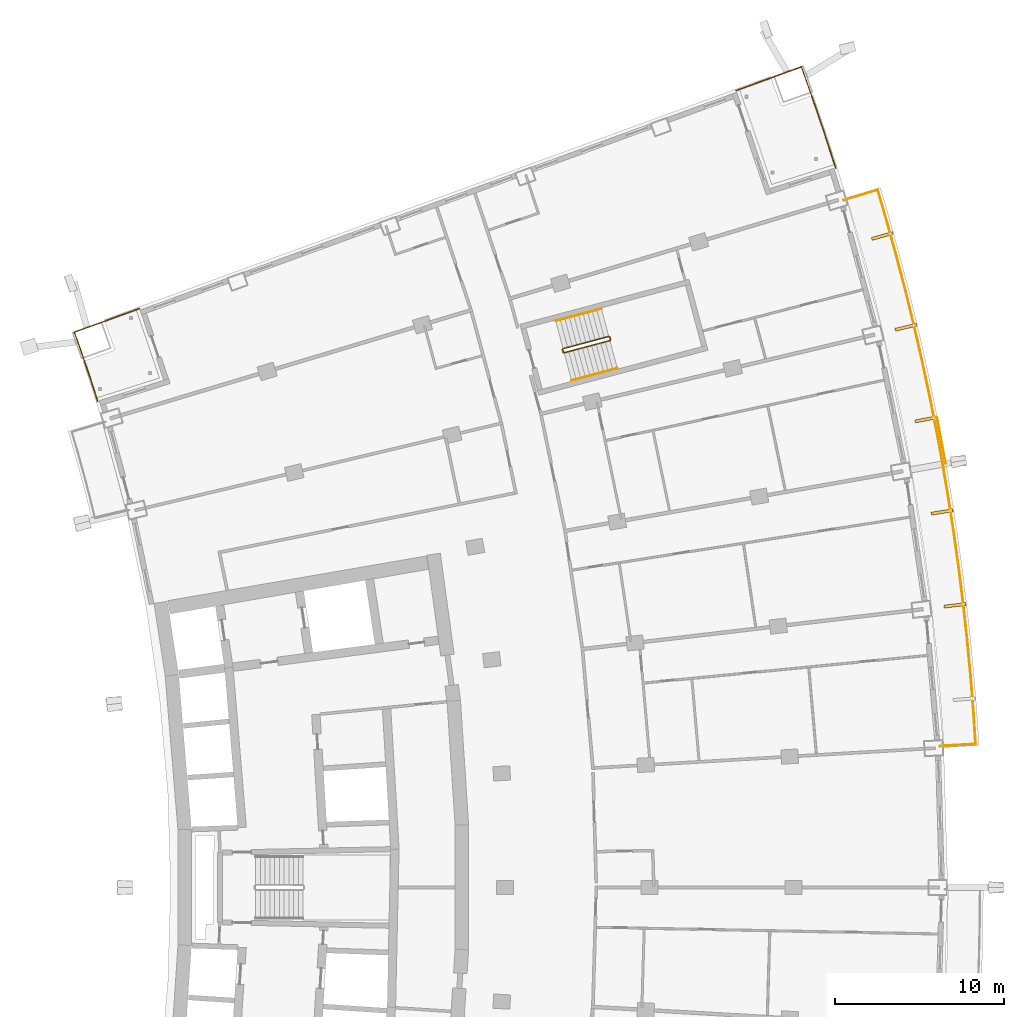
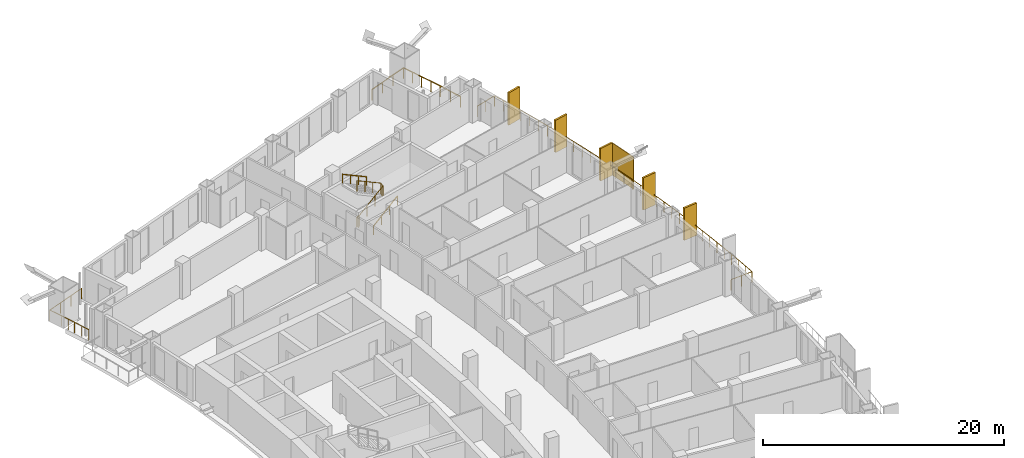
# One storey, part 23 of 23: 6 railings, 6 shading devices.
"""IFC4 building model written with IfcOpenShell, lengths in metres."""

from ifc_helpers import new_model, si_unit, direction, frame, origin, origin_2d, place, context, subcontext, project, spatial, rectangle, extrude, material, layer, layer_set, type_object, element, save


model = new_model("IFC4")

# Units and contexts
model_context = context("Model", 3, precision=1e-05, world=origin(), true_north=direction((0.0, 1.0)))
body_context = subcontext(model_context, "Body", "Model", "MODEL_VIEW")
ifc_project = project(units=[si_unit("LENGTHUNIT", "METRE"), si_unit("AREAUNIT", "SQUARE_METRE"), si_unit("VOLUMEUNIT", "CUBIC_METRE"), si_unit("PLANEANGLEUNIT", "RADIAN"), si_unit("MASSUNIT", "GRAM", prefix="KILO")], contexts=[model_context])

# Site, building, storey
site_placement = place(None, origin())
site = spatial("IfcSite", under=ifc_project, at=site_placement, CompositionType="ELEMENT")
building_placement = place(site_placement, origin())
building = spatial("IfcBuilding", under=site, at=building_placement, Name="Alderwake Tower", CompositionType="ELEMENT")
storey_placement = place(building_placement, frame((0.0, 0.0, 100.39990234375)))
storey = spatial("IfcBuildingStorey", under=building, at=storey_placement, Name="L24", CompositionType="ELEMENT", Elevation=100.39990234375)

# Railings
ifc_material_1 = material(Name="Stainless steel 316 rail and posts", Category="steel")
railing_type_1 = type_object("IfcRailingType", Name="Balcony guard 1100", PredefinedType="GUARDRAIL", material=ifc_material_1)
railing_1_placement = place(storey_placement, frame((61.552978515625, 69.365234375, 0.0)))
element("IfcRailing", 1, at=railing_1_placement, inside=storey, type_object=railing_type_1, Name="Guard BF08", PredefinedType="GUARDRAIL", context=body_context, shape_type="SweptSolid", body=[
    extrude(rectangle(XDim=0.048095703125, YDim=0.048095703125, at=origin_2d()), frame((0.0, 0.0, 1.076171875), z_axis=(0.998254674771, 0.059055942097, 0.0), x_axis=(-0.059055942097, 0.998254674771, 0.0)), (0.0, 0.0, 1.0), 2.10009765625),
    extrude(rectangle(XDim=0.048095703125, YDim=0.048095703125, at=origin_2d()), frame((2.096435546875, 0.1240234375, 1.076171875), z_axis=(-0.065967648342, 0.997821762326, 0.0), x_axis=(-0.997821762326, -0.065967648342, 0.0)), (0.0, 0.0, 1.0), 1.99853515625),
    extrude(rectangle(XDim=0.048095703125, YDim=0.048095703125, at=origin_2d()), frame((1.964599609375, 2.1181640625, 1.076171875), z_axis=(-0.080041152337, 0.996791559922, 0.0), x_axis=(-0.996791559922, -0.080041152337, 0.0)), (0.0, 0.0, 1.0), 2.0986328125),
    extrude(rectangle(XDim=0.048095703125, YDim=0.048095703125, at=origin_2d()), frame((1.796630859375, 4.2099609375, 1.076171875), z_axis=(-0.094699289711, 0.995505923904, 0.0), x_axis=(-0.995505923904, -0.094699289711, 0.0)), (0.0, 0.0, 1.0), 2.0986328125),
    extrude(rectangle(XDim=0.048095703125, YDim=0.048095703125, at=origin_2d()), frame((1.597900390625, 6.299072265625, 1.076171875), z_axis=(-0.109128966339, 0.994027599569, 0.0), x_axis=(-0.994027599569, -0.109128966339, 0.0)), (0.0, 0.0, 1.0), 2.098388671875),
    extrude(rectangle(XDim=0.048095703125, YDim=0.048095703125, at=origin_2d()), frame((1.368896484375, 8.385009765625, 1.076171875), z_axis=(-0.123662458816, 0.992324340264, 0.0), x_axis=(-0.992324340264, -0.123662458816, 0.0)), (0.0, 0.0, 1.0), 2.0986328125),
    extrude(rectangle(XDim=0.048095703125, YDim=0.048095703125, at=origin_2d()), frame((1.109375, 10.467529296875, 1.076171875), z_axis=(-0.138097834966, 0.990418592302, 0.0), x_axis=(-0.990418592302, -0.138097834966, 0.0)), (0.0, 0.0, 1.0), 2.098388671875),
    extrude(rectangle(XDim=0.048095703125, YDim=0.048095703125, at=origin_2d()), frame((0.819580078125, 12.5458984375, 1.076171875), z_axis=(-0.152520506341, 0.988300306155, 0.0), x_axis=(-0.988300306155, -0.152520506341, 0.0)), (0.0, 0.0, 1.0), 2.0986328125),
    extrude(rectangle(XDim=0.048095703125, YDim=0.048095703125, at=origin_2d()), frame((0.49951171875, 14.619873046875, 1.076171875), z_axis=(-0.16694530238, 0.985966158655, 0.0), x_axis=(-0.985966158655, -0.16694530238, 0.0)), (0.0, 0.0, 1.0), 2.0986328125),
    extrude(rectangle(XDim=0.048095703125, YDim=0.048095703125, at=origin_2d()), frame((0.149169921875, 16.68896484375, 1.076171875), z_axis=(-0.18126014614, 0.983435183132, 0.0), x_axis=(-0.983435183132, -0.18126014614, 0.0)), (0.0, 0.0, 1.0), 2.098388671875),
    extrude(rectangle(XDim=0.048095703125, YDim=0.048095703125, at=origin_2d()), frame((-0.231201171875, 18.752685546875, 1.076171875), z_axis=(-0.195691012753, 0.980665604336, 0.0), x_axis=(-0.980665604336, -0.195691012753, 0.0)), (0.0, 0.0, 1.0), 2.098388671875),
    extrude(rectangle(XDim=0.048095703125, YDim=0.048095703125, at=origin_2d()), frame((-0.641845703125, 20.810546875, 1.076171875), z_axis=(-0.209854794081, 0.977732563333, 0.0), x_axis=(-0.977732563333, -0.209854794081, 0.0)), (0.0, 0.0, 1.0), 2.0986328125),
    extrude(rectangle(XDim=0.048095703125, YDim=0.048095703125, at=origin_2d()), frame((-1.082275390625, 22.862548828125, 1.076171875), z_axis=(-0.224094649438, 0.974567385096, 0.0), x_axis=(-0.974567385096, -0.224094649438, 0.0)), (0.0, 0.0, 1.0), 2.098388671875),
    extrude(rectangle(XDim=0.048095703125, YDim=0.048095703125, at=origin_2d()), frame((-1.552490234375, 24.907470703125, 1.076171875), z_axis=(-0.238262937818, 0.971200685987, 0.0), x_axis=(-0.971200685987, -0.238262937818, 0.0)), (0.0, 0.0, 1.0), 2.0986328125),
    extrude(rectangle(XDim=0.048095703125, YDim=0.048095703125, at=origin_2d()), frame((-2.052490234375, 26.945556640625, 1.076171875), z_axis=(-0.252459784968, 0.967607387825, 0.0), x_axis=(-0.967607387825, -0.252459784968, 0.0)), (0.0, 0.0, 1.0), 2.098388671875),
    extrude(rectangle(XDim=0.048095703125, YDim=0.048095703125, at=origin_2d()), frame((-2.582275390625, 28.97607421875, 1.076171875), z_axis=(-0.266521673868, 0.963828925359, 0.0), x_axis=(-0.963828925359, -0.266521673868, 0.0)), (0.0, 0.0, 1.0), 2.0986328125),
    extrude(rectangle(XDim=0.048095703125, YDim=0.048095703125, at=origin_2d()), frame((-3.1416015625, 30.998779296875, 1.076171875), z_axis=(-0.280234538423, 0.95993156187, 0.0), x_axis=(-0.95993156187, -0.280234538423, 0.0)), (0.0, 0.0, 1.0), 1.99853515625),
    extrude(rectangle(XDim=0.048095703125, YDim=0.048095703125, at=origin_2d()), frame((-3.70166015625, 32.917236328125, 1.076171875), z_axis=(-0.957954179098, -0.286921227429, 0.0), x_axis=(0.286921227429, -0.957954179098, 0.0)), (0.0, 0.0, 1.0), 2.10009765625),
    extrude(rectangle(XDim=0.0419921875, YDim=0.0419921875, at=origin_2d()), frame((0.0, 0.0, 0.0), z_axis=(0.0, 0.0, 1.0), x_axis=(0.998254674771, 0.059055942097, 0.0)), (0.0, 0.0, 1.0), 1.052001953125),
    extrude(rectangle(XDim=0.0419921875, YDim=0.0419921875, at=origin_2d()), frame((1.04833984375, 0.06201171875, 0.0), z_axis=(0.0, 0.0, 1.0), x_axis=(0.998254674771, 0.059055942097, 0.0)), (0.0, 0.0, 1.0), 1.052001953125),
    extrude(rectangle(XDim=0.0419921875, YDim=0.0419921875, at=origin_2d()), frame((2.096435546875, 0.1240234375, 0.0), z_axis=(0.0, 0.0, 1.0), x_axis=(-0.065967648342, 0.997821762326, 0.0)), (0.0, 0.0, 1.0), 1.052001953125),
    extrude(rectangle(XDim=0.0419921875, YDim=0.0419921875, at=origin_2d()), frame((2.030517578125, 1.12109375, 0.0), z_axis=(0.0, 0.0, 1.0), x_axis=(-0.065967648342, 0.997821762326, 0.0)), (0.0, 0.0, 1.0), 1.052001953125),
    extrude(rectangle(XDim=0.0419921875, YDim=0.0419921875, at=origin_2d()), frame((1.964599609375, 2.1181640625, 0.0), z_axis=(0.0, 0.0, 1.0), x_axis=(-0.080041152337, 0.996791559922, 0.0)), (0.0, 0.0, 1.0), 1.052001953125),
    extrude(rectangle(XDim=0.0419921875, YDim=0.0419921875, at=origin_2d()), frame((1.880615234375, 3.1640625, 0.0), z_axis=(0.0, 0.0, 1.0), x_axis=(-0.080041152337, 0.996791559922, 0.0)), (0.0, 0.0, 1.0), 1.052001953125),
    extrude(rectangle(XDim=0.0419921875, YDim=0.0419921875, at=origin_2d()), frame((1.796630859375, 4.2099609375, 0.0), z_axis=(0.0, 0.0, 1.0), x_axis=(-0.094699289711, 0.995505923904, 0.0)), (0.0, 0.0, 1.0), 1.052001953125),
    extrude(rectangle(XDim=0.0419921875, YDim=0.0419921875, at=origin_2d()), frame((1.697265625, 5.25439453125, 0.0), z_axis=(0.0, 0.0, 1.0), x_axis=(-0.094699289711, 0.995505923904, 0.0)), (0.0, 0.0, 1.0), 1.052001953125),
    extrude(rectangle(XDim=0.0419921875, YDim=0.0419921875, at=origin_2d()), frame((1.597900390625, 6.299072265625, 0.0), z_axis=(0.0, 0.0, 1.0), x_axis=(-0.109128966339, 0.994027599569, 0.0)), (0.0, 0.0, 1.0), 1.052001953125),
    extrude(rectangle(XDim=0.0419921875, YDim=0.0419921875, at=origin_2d()), frame((1.4833984375, 7.342041015625, 0.0), z_axis=(0.0, 0.0, 1.0), x_axis=(-0.109128966339, 0.994027599569, 0.0)), (0.0, 0.0, 1.0), 1.052001953125),
    extrude(rectangle(XDim=0.0419921875, YDim=0.0419921875, at=origin_2d()), frame((1.368896484375, 8.385009765625, 0.0), z_axis=(0.0, 0.0, 1.0), x_axis=(-0.123662458816, 0.992324340264, 0.0)), (0.0, 0.0, 1.0), 1.052001953125),
    extrude(rectangle(XDim=0.0419921875, YDim=0.0419921875, at=origin_2d()), frame((1.2392578125, 9.42626953125, 0.0), z_axis=(0.0, 0.0, 1.0), x_axis=(-0.123662458816, 0.992324340264, 0.0)), (0.0, 0.0, 1.0), 1.052001953125),
    extrude(rectangle(XDim=0.0419921875, YDim=0.0419921875, at=origin_2d()), frame((1.109375, 10.467529296875, 0.0), z_axis=(0.0, 0.0, 1.0), x_axis=(-0.138097834966, 0.990418592302, 0.0)), (0.0, 0.0, 1.0), 1.052001953125),
    extrude(rectangle(XDim=0.0419921875, YDim=0.0419921875, at=origin_2d()), frame((0.96435546875, 11.5068359375, 0.0), z_axis=(0.0, 0.0, 1.0), x_axis=(-0.138097834966, 0.990418592302, 0.0)), (0.0, 0.0, 1.0), 1.052001953125),
    extrude(rectangle(XDim=0.0419921875, YDim=0.0419921875, at=origin_2d()), frame((0.819580078125, 12.5458984375, 0.0), z_axis=(0.0, 0.0, 1.0), x_axis=(-0.152520506341, 0.988300306155, 0.0)), (0.0, 0.0, 1.0), 1.052001953125),
    extrude(rectangle(XDim=0.0419921875, YDim=0.0419921875, at=origin_2d()), frame((0.65966796875, 13.5830078125, 0.0), z_axis=(0.0, 0.0, 1.0), x_axis=(-0.152520506341, 0.988300306155, 0.0)), (0.0, 0.0, 1.0), 1.052001953125),
    extrude(rectangle(XDim=0.0419921875, YDim=0.0419921875, at=origin_2d()), frame((0.49951171875, 14.619873046875, 0.0), z_axis=(0.0, 0.0, 1.0), x_axis=(-0.16694530238, 0.985966158655, 0.0)), (0.0, 0.0, 1.0), 1.052001953125),
    extrude(rectangle(XDim=0.0419921875, YDim=0.0419921875, at=origin_2d()), frame((0.32421875, 15.654296875, 0.0), z_axis=(0.0, 0.0, 1.0), x_axis=(-0.16694530238, 0.985966158655, 0.0)), (0.0, 0.0, 1.0), 1.052001953125),
    extrude(rectangle(XDim=0.0419921875, YDim=0.0419921875, at=origin_2d()), frame((0.149169921875, 16.68896484375, 0.0), z_axis=(0.0, 0.0, 1.0), x_axis=(-0.18126014614, 0.983435183132, 0.0)), (0.0, 0.0, 1.0), 1.052001953125),
    extrude(rectangle(XDim=0.0419921875, YDim=0.0419921875, at=origin_2d()), frame((-0.041015625, 17.720703125, 0.0), z_axis=(0.0, 0.0, 1.0), x_axis=(-0.18126014614, 0.983435183132, 0.0)), (0.0, 0.0, 1.0), 1.052001953125),
    extrude(rectangle(XDim=0.0419921875, YDim=0.0419921875, at=origin_2d()), frame((-0.231201171875, 18.752685546875, 0.0), z_axis=(0.0, 0.0, 1.0), x_axis=(-0.195691012753, 0.980665604336, 0.0)), (0.0, 0.0, 1.0), 1.052001953125),
    extrude(rectangle(XDim=0.0419921875, YDim=0.0419921875, at=origin_2d()), frame((-0.4365234375, 19.78173828125, 0.0), z_axis=(0.0, 0.0, 1.0), x_axis=(-0.195691012753, 0.980665604336, 0.0)), (0.0, 0.0, 1.0), 1.052001953125),
    extrude(rectangle(XDim=0.0419921875, YDim=0.0419921875, at=origin_2d()), frame((-0.641845703125, 20.810546875, 0.0), z_axis=(0.0, 0.0, 1.0), x_axis=(-0.209854794081, 0.977732563333, 0.0)), (0.0, 0.0, 1.0), 1.052001953125),
    extrude(rectangle(XDim=0.0419921875, YDim=0.0419921875, at=origin_2d()), frame((-0.862060546875, 21.83642578125, 0.0), z_axis=(0.0, 0.0, 1.0), x_axis=(-0.209854794081, 0.977732563333, 0.0)), (0.0, 0.0, 1.0), 1.052001953125),
    extrude(rectangle(XDim=0.0419921875, YDim=0.0419921875, at=origin_2d()), frame((-1.082275390625, 22.862548828125, 0.0), z_axis=(0.0, 0.0, 1.0), x_axis=(-0.224094649438, 0.974567385096, 0.0)), (0.0, 0.0, 1.0), 1.052001953125),
    extrude(rectangle(XDim=0.0419921875, YDim=0.0419921875, at=origin_2d()), frame((-1.3173828125, 23.885009765625, 0.0), z_axis=(0.0, 0.0, 1.0), x_axis=(-0.224094649438, 0.974567385096, 0.0)), (0.0, 0.0, 1.0), 1.052001953125),
    extrude(rectangle(XDim=0.0419921875, YDim=0.0419921875, at=origin_2d()), frame((-1.552490234375, 24.907470703125, 0.0), z_axis=(0.0, 0.0, 1.0), x_axis=(-0.238262937818, 0.971200685987, 0.0)), (0.0, 0.0, 1.0), 1.052001953125),
    extrude(rectangle(XDim=0.0419921875, YDim=0.0419921875, at=origin_2d()), frame((-1.802490234375, 25.926513671875, 0.0), z_axis=(0.0, 0.0, 1.0), x_axis=(-0.238262937818, 0.971200685987, 0.0)), (0.0, 0.0, 1.0), 1.052001953125),
    extrude(rectangle(XDim=0.0419921875, YDim=0.0419921875, at=origin_2d()), frame((-2.052490234375, 26.945556640625, 0.0), z_axis=(0.0, 0.0, 1.0), x_axis=(-0.252459784968, 0.967607387825, 0.0)), (0.0, 0.0, 1.0), 1.052001953125),
    extrude(rectangle(XDim=0.0419921875, YDim=0.0419921875, at=origin_2d()), frame((-2.3173828125, 27.9609375, 0.0), z_axis=(0.0, 0.0, 1.0), x_axis=(-0.252459784968, 0.967607387825, 0.0)), (0.0, 0.0, 1.0), 1.052001953125),
    extrude(rectangle(XDim=0.0419921875, YDim=0.0419921875, at=origin_2d()), frame((-2.582275390625, 28.97607421875, 0.0), z_axis=(0.0, 0.0, 1.0), x_axis=(-0.266521673868, 0.963828925359, 0.0)), (0.0, 0.0, 1.0), 1.052001953125),
    extrude(rectangle(XDim=0.0419921875, YDim=0.0419921875, at=origin_2d()), frame((-2.86181640625, 29.9873046875, 0.0), z_axis=(0.0, 0.0, 1.0), x_axis=(-0.266521673868, 0.963828925359, 0.0)), (0.0, 0.0, 1.0), 1.052001953125),
    extrude(rectangle(XDim=0.0419921875, YDim=0.0419921875, at=origin_2d()), frame((-3.1416015625, 30.998779296875, 0.0), z_axis=(0.0, 0.0, 1.0), x_axis=(-0.280234538423, 0.95993156187, 0.0)), (0.0, 0.0, 1.0), 1.052001953125),
    extrude(rectangle(XDim=0.0419921875, YDim=0.0419921875, at=origin_2d()), frame((-3.421630859375, 31.9580078125, 0.0), z_axis=(0.0, 0.0, 1.0), x_axis=(-0.280234538423, 0.95993156187, 0.0)), (0.0, 0.0, 1.0), 1.052001953125),
    extrude(rectangle(XDim=0.0419921875, YDim=0.0419921875, at=origin_2d()), frame((-3.70166015625, 32.917236328125, 0.0), z_axis=(0.0, 0.0, 1.0), x_axis=(-0.957954179098, -0.286921227429, 0.0)), (0.0, 0.0, 1.0), 1.052001953125),
    extrude(rectangle(XDim=0.0419921875, YDim=0.0419921875, at=origin_2d()), frame((-4.70751953125, 32.615966796875, 0.0), z_axis=(0.0, 0.0, 1.0), x_axis=(-0.957954179098, -0.286921227429, 0.0)), (0.0, 0.0, 1.0), 1.052001953125),
    extrude(rectangle(XDim=0.0419921875, YDim=0.0419921875, at=origin_2d()), frame((-5.71337890625, 32.314697265625, 0.0), z_axis=(0.0, 0.0, 1.0), x_axis=(-0.957954179098, -0.286921227429, 0.0)), (0.0, 0.0, 1.0), 1.052001953125),
])
railing_2_placement = place(storey_placement, frame((55.357666015625, 103.590087890625, 0.0)))
element("IfcRailing", 2, at=railing_2_placement, inside=storey, type_object=railing_type_1, Name="Guard terrace FN", PredefinedType="GUARDRAIL", context=body_context, shape_type="SweptSolid", body=[
    extrude(rectangle(XDim=0.048095703125, YDim=0.048095703125, at=origin_2d()), frame((0.0, 0.0, 1.076171875), z_axis=(-0.307791641716, 0.951453785157, 0.0), x_axis=(-0.951453785157, -0.307791641716, 0.0)), (0.0, 0.0, 1.0), 2.269287109375),
    extrude(rectangle(XDim=0.048095703125, YDim=0.048095703125, at=origin_2d()), frame((-0.698486328125, 2.1591796875, 1.076171875), z_axis=(-0.322203060236, 0.946670580495, 0.0), x_axis=(-0.946670580495, -0.322203060236, 0.0)), (0.0, 0.0, 1.0), 2.0693359375),
    extrude(rectangle(XDim=0.048095703125, YDim=0.048095703125, at=origin_2d()), frame((-1.365234375, 4.1181640625, 1.076171875), z_axis=(-0.335723744503, 0.94196049141, 0.0), x_axis=(-0.94196049141, -0.335723744503, 0.0)), (0.0, 0.0, 1.0), 1.96923828125),
    extrude(rectangle(XDim=0.048095703125, YDim=0.048095703125, at=origin_2d()), frame((-2.0263671875, 5.97314453125, 1.076171875), z_axis=(-0.939624669849, -0.342206779317, 0.0), x_axis=(0.342206779317, -0.939624669849, 0.0)), (0.0, 0.0, 1.0), 4.10009765625),
    extrude(rectangle(XDim=0.0419921875, YDim=0.0419921875, at=origin_2d()), frame((0.0, 0.0, 0.0), z_axis=(0.0, 0.0, 1.0), x_axis=(-0.307791641716, 0.951453785157, 0.0)), (0.0, 0.0, 1.0), 1.052001953125),
    extrude(rectangle(XDim=0.0419921875, YDim=0.0419921875, at=origin_2d()), frame((-0.34912109375, 1.07958984375, 0.0), z_axis=(0.0, 0.0, 1.0), x_axis=(-0.307791641716, 0.951453785157, 0.0)), (0.0, 0.0, 1.0), 1.052001953125),
    extrude(rectangle(XDim=0.0419921875, YDim=0.0419921875, at=origin_2d()), frame((-0.698486328125, 2.1591796875, 0.0), z_axis=(0.0, 0.0, 1.0), x_axis=(-0.322203060236, 0.946670580495, 0.0)), (0.0, 0.0, 1.0), 1.052001953125),
    extrude(rectangle(XDim=0.0419921875, YDim=0.0419921875, at=origin_2d()), frame((-1.03173828125, 3.138671875, 0.0), z_axis=(0.0, 0.0, 1.0), x_axis=(-0.322203060236, 0.946670580495, 0.0)), (0.0, 0.0, 1.0), 1.052001953125),
    extrude(rectangle(XDim=0.0419921875, YDim=0.0419921875, at=origin_2d()), frame((-1.365234375, 4.1181640625, 0.0), z_axis=(0.0, 0.0, 1.0), x_axis=(-0.335723744503, 0.94196049141, 0.0)), (0.0, 0.0, 1.0), 1.052001953125),
    extrude(rectangle(XDim=0.0419921875, YDim=0.0419921875, at=origin_2d()), frame((-1.69580078125, 5.045654296875, 0.0), z_axis=(0.0, 0.0, 1.0), x_axis=(-0.335723744503, 0.94196049141, 0.0)), (0.0, 0.0, 1.0), 1.052001953125),
    extrude(rectangle(XDim=0.0419921875, YDim=0.0419921875, at=origin_2d()), frame((-2.0263671875, 5.97314453125, 0.0), z_axis=(0.0, 0.0, 1.0), x_axis=(-0.939624669849, -0.342206779317, 0.0)), (0.0, 0.0, 1.0), 1.052001953125),
    extrude(rectangle(XDim=0.0419921875, YDim=0.0419921875, at=origin_2d()), frame((-3.310546875, 5.50537109375, 0.0), z_axis=(0.0, 0.0, 1.0), x_axis=(-0.939624669849, -0.342206779317, 0.0)), (0.0, 0.0, 1.0), 1.052001953125),
    extrude(rectangle(XDim=0.0419921875, YDim=0.0419921875, at=origin_2d()), frame((-4.5947265625, 5.037841796875, 0.0), z_axis=(0.0, 0.0, 1.0), x_axis=(-0.939624669849, -0.342206779317, 0.0)), (0.0, 0.0, 1.0), 1.052001953125),
    extrude(rectangle(XDim=0.0419921875, YDim=0.0419921875, at=origin_2d()), frame((-5.87890625, 4.570068359375, 0.0), z_axis=(0.0, 0.0, 1.0), x_axis=(-0.939624669849, -0.342206779317, 0.0)), (0.0, 0.0, 1.0), 1.052001953125),
])
railing_3_placement = place(storey_placement, frame((11.688720703125, 89.781982421875, 0.0)))
element("IfcRailing", 3, at=railing_3_placement, inside=storey, type_object=railing_type_1, Name="Guard terrace RN", PredefinedType="GUARDRAIL", context=body_context, shape_type="SweptSolid", body=[
    extrude(rectangle(XDim=0.048095703125, YDim=0.048095703125, at=origin_2d()), frame((0.0, 0.0, 1.076171875), z_axis=(-0.307479326145, 0.951554761426, 0.0), x_axis=(-0.951554761426, -0.307479326145, 0.0)), (0.0, 0.0, 1.0), 1.6015625),
    extrude(rectangle(XDim=0.048095703125, YDim=0.048095703125, at=origin_2d()), frame((-0.492431640625, 1.52392578125, 1.076171875), z_axis=(-0.322283727344, 0.946643121292, 0.0), x_axis=(-0.946643121292, -0.322283727344, 0.0)), (0.0, 0.0, 1.0), 1.4013671875),
    extrude(rectangle(XDim=0.048095703125, YDim=0.048095703125, at=origin_2d()), frame((-0.944091796875, 2.8505859375, 1.076171875), z_axis=(-0.335468607403, 0.942051385778, 0.0), x_axis=(-0.942051385778, -0.335468607403, 0.0)), (0.0, 0.0, 1.0), 1.30126953125),
    extrude(rectangle(XDim=0.048095703125, YDim=0.048095703125, at=origin_2d()), frame((-1.380615234375, 4.076416015625, 1.076171875), z_axis=(0.939708203232, 0.341977327873, 0.0), x_axis=(-0.341977327873, 0.939708203232, 0.0)), (0.0, 0.0, 1.0), 4.10009765625),
    extrude(rectangle(XDim=0.0419921875, YDim=0.0419921875, at=origin_2d()), frame((0.0, 0.0, 0.0), z_axis=(0.0, 0.0, 1.0), x_axis=(-0.307479326145, 0.951554761426, 0.0)), (0.0, 0.0, 1.0), 1.052001953125),
    extrude(rectangle(XDim=0.0419921875, YDim=0.0419921875, at=origin_2d()), frame((-0.24609375, 0.761962890625, 0.0), z_axis=(0.0, 0.0, 1.0), x_axis=(-0.307479326145, 0.951554761426, 0.0)), (0.0, 0.0, 1.0), 1.052001953125),
    extrude(rectangle(XDim=0.0419921875, YDim=0.0419921875, at=origin_2d()), frame((-0.492431640625, 1.52392578125, 0.0), z_axis=(0.0, 0.0, 1.0), x_axis=(-0.322283727344, 0.946643121292, 0.0)), (0.0, 0.0, 1.0), 1.052001953125),
    extrude(rectangle(XDim=0.0419921875, YDim=0.0419921875, at=origin_2d()), frame((-0.71826171875, 2.187255859375, 0.0), z_axis=(0.0, 0.0, 1.0), x_axis=(-0.322283727344, 0.946643121292, 0.0)), (0.0, 0.0, 1.0), 1.052001953125),
    extrude(rectangle(XDim=0.0419921875, YDim=0.0419921875, at=origin_2d()), frame((-0.944091796875, 2.8505859375, 0.0), z_axis=(0.0, 0.0, 1.0), x_axis=(-0.335468607403, 0.942051385778, 0.0)), (0.0, 0.0, 1.0), 1.052001953125),
    extrude(rectangle(XDim=0.0419921875, YDim=0.0419921875, at=origin_2d()), frame((-1.380615234375, 4.076416015625, 0.0), z_axis=(0.0, 0.0, 1.0), x_axis=(0.939708203232, 0.341977327873, 0.0)), (0.0, 0.0, 1.0), 1.052001953125),
    extrude(rectangle(XDim=0.0419921875, YDim=0.0419921875, at=origin_2d()), frame((-0.096435546875, 4.543701171875, 0.0), z_axis=(0.0, 0.0, 1.0), x_axis=(0.939708203232, 0.341977327873, 0.0)), (0.0, 0.0, 1.0), 1.052001953125),
    extrude(rectangle(XDim=0.0419921875, YDim=0.0419921875, at=origin_2d()), frame((1.18798828125, 5.01123046875, 0.0), z_axis=(0.0, 0.0, 1.0), x_axis=(0.939708203232, 0.341977327873, 0.0)), (0.0, 0.0, 1.0), 1.052001953125),
    extrude(rectangle(XDim=0.0419921875, YDim=0.0419921875, at=origin_2d()), frame((2.47216796875, 5.478515625, 0.0), z_axis=(0.0, 0.0, 1.0), x_axis=(0.939708203232, 0.341977327873, 0.0)), (0.0, 0.0, 1.0), 1.052001953125),
])

# Shading devices
ifc_material_2 = material(Name="Bronze anodised aluminium", Category="aluminium")
ifc_layer_1 = layer(ifc_material_2, 0.179931640625)
ifc_layer_set_1 = layer_set([ifc_layer_1], Name="Facade fin 1300")
shading_device_type_1 = type_object("IfcShadingDeviceType", Name="Facade fin 1300", PredefinedType="USERDEFINED", material=ifc_layer_set_1)
for number, where, z_axis, x_axis, name in (
    (4, (62.424560546875, 77.69677734375, 0.0), (0.0, 0.0, 1.0), (0.993198315083, 0.116434990084, 0.0), "Fin"),
    (5, (61.66748046875, 83.22314453125, 0.0), (0.0, 0.0, 1.0), (0.987918787879, 0.154972476771, 0.0), "Fin"),
    (6, (60.698974609375, 88.70166015625, 0.0), (0.0, 0.0, 1.0), (0.981163751315, 0.193177879441, 0.0), "Fin"),
    (7, (59.51513671875, 94.152587890625, 0.0), (0.0, 0.0, 1.0), (0.972908790564, 0.231189284448, 0.0), "Fin"),
    (8, (58.120361328125, 99.55322265625, 0.0), (0.0, 0.0, 1.0), (0.96318180783, 0.268850897459, 0.0), "Fin"),
):
    element("IfcShadingDevice", number, at=place(storey_placement, frame(where, z_axis=z_axis, x_axis=x_axis)), inside=storey, type_object=shading_device_type_1, Name=name, ObjectType="FIN", PredefinedType="USERDEFINED", context=body_context, shape_type="SweptSolid", body=[
        extrude(rectangle(XDim=1.300048828125, YDim=0.179931640625, at=origin_2d()), origin(), (0.0, 0.0, 1.0), 3.280029296875),
    ])
ifc_material_3 = material(Name="Perforated bronze anodised aluminium", Category="aluminium")
ifc_layer_2 = layer(ifc_material_3, 0.050048828125)
ifc_layer_set_2 = layer_set([ifc_layer_2], Name="Perforated screen panel")
shading_device_type_2 = type_object("IfcShadingDeviceType", Name="Perforated screen panel", PredefinedType="USERDEFINED", material=ifc_layer_set_2)
shading_device_placement = place(storey_placement, frame((61.617919921875, 87.45849609375, 0.0), z_axis=(0.0, 0.0, 1.0), x_axis=(0.982991488043, 0.183651121519, 0.0)))
element("IfcShadingDevice", 9, at=shading_device_placement, inside=storey, type_object=shading_device_type_2, Name="Screen panel", ObjectType="SCREEN", PredefinedType="USERDEFINED", context=body_context, shape_type="SweptSolid", body=[
    extrude(rectangle(XDim=0.050048828125, YDim=2.794921875, at=origin_2d()), origin(), (0.0, 0.0, 1.0), 3.280029296875),
])

# Railings
ifc_material_4 = material(Name="Stainless steel guard", Category="steel")
railing_type_2 = type_object("IfcRailingType", Name="Stair guard 1100", PredefinedType="GUARDRAIL", material=ifc_material_4)
railing_4_placement = place(storey_placement, frame((39.23291015625, 92.6806640625, 0.0)))
element("IfcRailing", 10, at=railing_4_placement, inside=storey, type_object=railing_type_2, Name="L24 ST-A stair guard 1", PredefinedType="GUARDRAIL", context=body_context, shape_type="SweptSolid", body=[
    extrude(rectangle(XDim=0.048095703125, YDim=0.048095703125, at=origin_2d()), frame((0.0, 0.0, 1.076171875), z_axis=(-0.257055032184, 0.966396766566, 0.0), x_axis=(-0.966396766566, -0.257055032184, 0.0)), (0.0, 0.0, 1.0), 0.150146484375),
    extrude(rectangle(XDim=0.048095703125, YDim=0.048095703125, at=origin_2d()), frame((-0.03857421875, 0.14501953125, 1.076171875), z_axis=(0.379152066478, -0.68506938173, 0.622031874345), x_axis=(0.874937996095, 0.484234966715, 0.0)), (0.0, 0.0, 1.0), 0.263427734375),
    extrude(rectangle(XDim=0.048095703125, YDim=0.048095703125, at=origin_2d()), frame((0.061279296875, -0.035400390625, 1.23974609375), z_axis=(0.834290631165, 0.222236594766, 0.504549342183), x_axis=(-0.257402139082, 0.966304371715, 0.0)), (0.0, 0.0, 1.0), 3.242919921875),
    extrude(rectangle(XDim=0.048095703125, YDim=0.048095703125, at=origin_2d()), frame((2.766845703125, 0.685302734375, 2.8759765625), z_axis=(0.500220121494, 0.865898279276, 0.0), x_axis=(-0.865898279276, 0.500220121494, 0.0)), (0.0, 0.0, 1.0), 0.07080078125),
    extrude(rectangle(XDim=0.048095703125, YDim=0.048095703125, at=origin_2d()), frame((2.80224609375, 0.74658203125, 2.8759765625), z_axis=(-0.257459803502, 0.966289009345, 0.0), x_axis=(-0.966289009345, -0.257459803502, 0.0)), (0.0, 0.0, 1.0), 0.14990234375),
    extrude(rectangle(XDim=0.048095703125, YDim=0.048095703125, at=origin_2d()), frame((2.763671875, 0.891357421875, 2.8759765625), z_axis=(-0.34252489212, 0.200034536998, 0.917966710881), x_axis=(-0.504300490226, -0.863528236688, 0.0)), (0.0, 0.0, 1.0), 0.17822265625),
    extrude(rectangle(XDim=0.048095703125, YDim=0.048095703125, at=origin_2d()), frame((2.70263671875, 0.927001953125, 3.03955078125), z_axis=(-0.834281824786, -0.222214197128, 0.504573768072), x_axis=(0.257380452725, -0.966310148221, 0.0)), (0.0, 0.0, 1.0), 3.2431640625),
    extrude(rectangle(XDim=0.0419921875, YDim=0.0419921875, at=origin_2d()), frame((0.0, 0.0, 0.0), z_axis=(0.0, 0.0, 1.0), x_axis=(-0.257055032184, 0.966396766566, 0.0)), (0.0, 0.0, 1.0), 1.052001953125),
    extrude(rectangle(XDim=0.0419921875, YDim=0.0419921875, at=origin_2d()), frame((-0.03857421875, 0.14501953125, 0.0), z_axis=(0.0, 0.0, 1.0), x_axis=(0.484234966715, -0.874937996095, 0.0)), (0.0, 0.0, 1.0), 1.052001953125),
    extrude(rectangle(XDim=0.0419921875, YDim=0.0419921875, at=origin_2d()), frame((0.061279296875, -0.035400390625, 0.163818359375), z_axis=(0.0, 0.0, 1.0), x_axis=(0.966304371715, 0.257402139082, 0.0)), (0.0, 0.0, 1.0), 1.052001953125),
    extrude(rectangle(XDim=0.0419921875, YDim=0.0419921875, at=origin_2d()), frame((0.963134765625, 0.204833984375, 0.709228515625), z_axis=(0.0, 0.0, 1.0), x_axis=(0.966304371715, 0.257402139082, 0.0)), (0.0, 0.0, 1.0), 1.052001953125),
    extrude(rectangle(XDim=0.0419921875, YDim=0.0419921875, at=origin_2d()), frame((1.864990234375, 0.445068359375, 1.254638671875), z_axis=(0.0, 0.0, 1.0), x_axis=(0.966304371715, 0.257402139082, 0.0)), (0.0, 0.0, 1.0), 1.052001953125),
    extrude(rectangle(XDim=0.0419921875, YDim=0.0419921875, at=origin_2d()), frame((2.766845703125, 0.685302734375, 1.800048828125), z_axis=(0.0, 0.0, 1.0), x_axis=(0.500220121494, 0.865898279276, 0.0)), (0.0, 0.0, 1.0), 1.052001953125),
    extrude(rectangle(XDim=0.0419921875, YDim=0.0419921875, at=origin_2d()), frame((2.80224609375, 0.74658203125, 1.800048828125), z_axis=(0.0, 0.0, 1.0), x_axis=(-0.257459803502, 0.966289009345, 0.0)), (0.0, 0.0, 1.0), 1.052001953125),
    extrude(rectangle(XDim=0.0419921875, YDim=0.0419921875, at=origin_2d()), frame((2.763671875, 0.891357421875, 1.800048828125), z_axis=(0.0, 0.0, 1.0), x_axis=(-0.863528236688, 0.504300490226, 0.0)), (0.0, 0.0, 1.0), 1.052001953125),
    extrude(rectangle(XDim=0.0419921875, YDim=0.0419921875, at=origin_2d()), frame((2.70263671875, 0.927001953125, 1.963623046875), z_axis=(0.0, 0.0, 1.0), x_axis=(-0.966310148221, -0.257380452725, 0.0)), (0.0, 0.0, 1.0), 1.052001953125),
    extrude(rectangle(XDim=0.0419921875, YDim=0.0419921875, at=origin_2d()), frame((1.80078125, 0.686767578125, 2.509033203125), z_axis=(0.0, 0.0, 1.0), x_axis=(-0.966310148221, -0.257380452725, 0.0)), (0.0, 0.0, 1.0), 1.052001953125),
    extrude(rectangle(XDim=0.0419921875, YDim=0.0419921875, at=origin_2d()), frame((0.898681640625, 0.446533203125, 3.0546875), z_axis=(0.0, 0.0, 1.0), x_axis=(-0.966310148221, -0.257380452725, 0.0)), (0.0, 0.0, 1.0), 1.052001953125),
    extrude(rectangle(XDim=0.0419921875, YDim=0.0419921875, at=origin_2d()), frame((-0.003173828125, 0.206298828125, 3.60009765625), z_axis=(0.0, 0.0, 1.0), x_axis=(-0.966310148221, -0.257380452725, 0.0)), (0.0, 0.0, 1.0), 1.052001953125),
])
ifc_material_5 = material(Name="Stainless steel handrail", Category="steel")
railing_type_3 = type_object("IfcRailingType", Name="Stair handrail 900", PredefinedType="HANDRAIL", material=ifc_material_5)
railing_5_placement = place(storey_placement, frame((39.731689453125, 91.002685546875, 0.163818359375)))
element("IfcRailing", 11, at=railing_5_placement, inside=storey, type_object=railing_type_3, Name="L24 ST-A stair handrail 1", PredefinedType="HANDRAIL", context=body_context, shape_type="SweptSolid", body=[
    extrude(rectangle(XDim=0.048095703125, YDim=0.048095703125, at=origin_2d()), frame((0.0, 0.0, 0.8759765625), z_axis=(0.834290631165, 0.222236594766, 0.504549342183), x_axis=(-0.257402139082, 0.966304371715, 0.0)), (0.0, 0.0, 1.0), 3.242919921875),
    extrude(rectangle(XDim=0.0419921875, YDim=0.0419921875, at=origin_2d()), frame((0.0, 0.0, 0.0), z_axis=(0.0, 0.0, 1.0), x_axis=(0.966304371715, 0.257402139082, 0.0)), (0.0, 0.0, 1.0), 0.851806640625),
    extrude(rectangle(XDim=0.0419921875, YDim=0.0419921875, at=origin_2d()), frame((0.90185546875, 0.240234375, 0.54541015625), z_axis=(0.0, 0.0, 1.0), x_axis=(0.966304371715, 0.257402139082, 0.0)), (0.0, 0.0, 1.0), 0.851806640625),
    extrude(rectangle(XDim=0.0419921875, YDim=0.0419921875, at=origin_2d()), frame((1.8037109375, 0.48046875, 1.0908203125), z_axis=(0.0, 0.0, 1.0), x_axis=(0.966304371715, 0.257402139082, 0.0)), (0.0, 0.0, 1.0), 0.851806640625),
    extrude(rectangle(XDim=0.0419921875, YDim=0.0419921875, at=origin_2d()), frame((2.70556640625, 0.720703125, 1.63623046875), z_axis=(0.0, 0.0, 1.0), x_axis=(0.966304371715, 0.257402139082, 0.0)), (0.0, 0.0, 1.0), 0.851806640625),
])
railing_6_placement = place(storey_placement, frame((41.497802734375, 95.250244140625, 1.963623046875)))
element("IfcRailing", 12, at=railing_6_placement, inside=storey, type_object=railing_type_3, Name="L24 ST-A stair handrail 2", PredefinedType="HANDRAIL", context=body_context, shape_type="SweptSolid", body=[
    extrude(rectangle(XDim=0.048095703125, YDim=0.048095703125, at=origin_2d()), frame((0.0, 0.0, 0.8759765625), z_axis=(-0.834258940753, -0.22222815314, 0.504605457487), x_axis=(0.257402139082, -0.966304371715, 0.0)), (0.0, 0.0, 1.0), 3.2431640625),
    extrude(rectangle(XDim=0.0419921875, YDim=0.0419921875, at=origin_2d()), frame((0.0, 0.0, 0.0), z_axis=(0.0, 0.0, 1.0), x_axis=(-0.966304371715, -0.257402139082, 0.0)), (0.0, 0.0, 1.0), 0.851806640625),
    extrude(rectangle(XDim=0.0419921875, YDim=0.0419921875, at=origin_2d()), frame((-0.90185546875, -0.240234375, 0.54541015625), z_axis=(0.0, 0.0, 1.0), x_axis=(-0.966304371715, -0.257402139082, 0.0)), (0.0, 0.0, 1.0), 0.851806640625),
    extrude(rectangle(XDim=0.0419921875, YDim=0.0419921875, at=origin_2d()), frame((-1.8037109375, -0.48046875, 1.091064453125), z_axis=(0.0, 0.0, 1.0), x_axis=(-0.966304371715, -0.257402139082, 0.0)), (0.0, 0.0, 1.0), 0.851806640625),
    extrude(rectangle(XDim=0.0419921875, YDim=0.0419921875, at=origin_2d()), frame((-2.70556640625, -0.720703125, 1.636474609375), z_axis=(0.0, 0.0, 1.0), x_axis=(-0.966304371715, -0.257402139082, 0.0)), (0.0, 0.0, 1.0), 0.851806640625),
])

save(model, "model.ifc")
